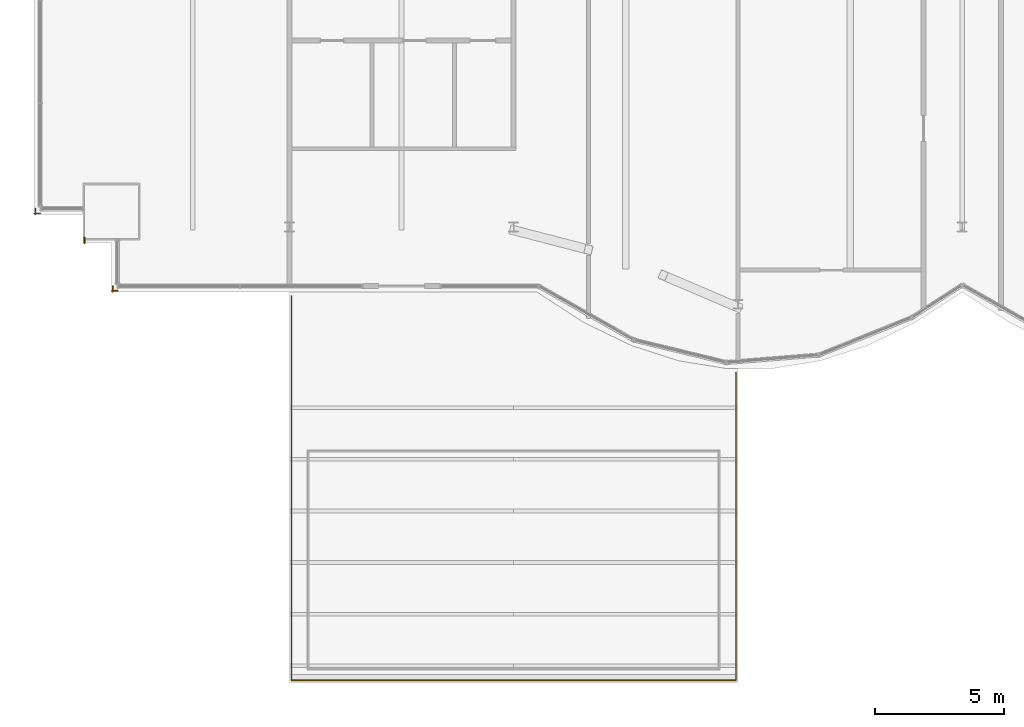
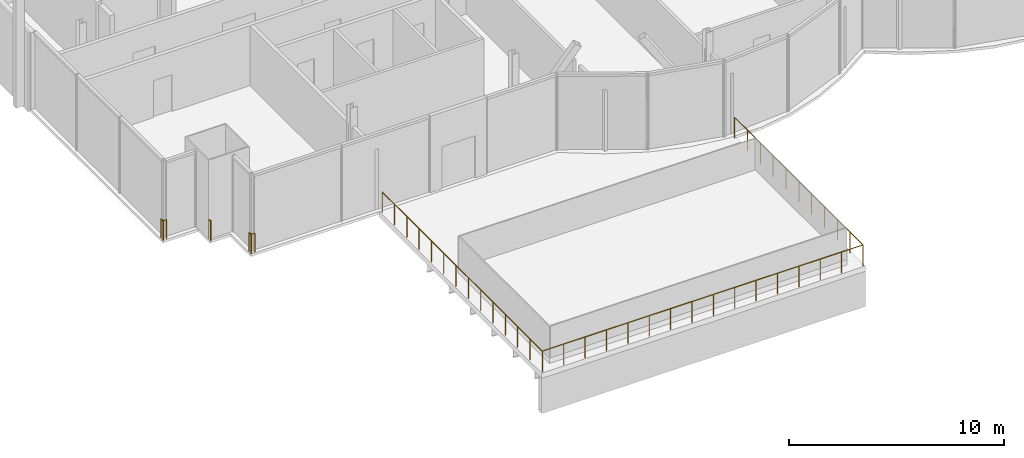
# One storey, part 20 of 22: 4 railings.
"""IFC4 building model written with IfcOpenShell, lengths in metres."""

from ifc_helpers import new_model, si_unit, direction, frame, origin, origin_2d, place, context, subcontext, project, spatial, circle, extrude, material, type_object, element, save


model = new_model("IFC4")

# Units and contexts
model_context = context("Model", 3, precision=1e-05, world=origin(), true_north=direction((0.0, 1.0)))
body_context = subcontext(model_context, "Body", "Model", "MODEL_VIEW")
ifc_project = project(units=[si_unit("LENGTHUNIT", "METRE"), si_unit("AREAUNIT", "SQUARE_METRE"), si_unit("VOLUMEUNIT", "CUBIC_METRE"), si_unit("PLANEANGLEUNIT", "RADIAN"), si_unit("MASSUNIT", "GRAM", prefix="KILO")], contexts=[model_context])

# Site, building, storey
site_placement = place(None, origin())
site = spatial("IfcSite", under=ifc_project, at=site_placement, CompositionType="ELEMENT")
building_placement = place(site_placement, origin())
building = spatial("IfcBuilding", under=site, at=building_placement, Name="Bicima Exchange Tower", CompositionType="ELEMENT")
storey_placement = place(building_placement, frame((0.0, 0.0, 293.0)))
storey = spatial("IfcBuildingStorey", under=building, at=storey_placement, Name="L66", CompositionType="ELEMENT", Elevation=293.0)

# Railings
ifc_material = material(Name="Stainless steel and bonded safety glass", Category="steel")
railing_type_1 = type_object("IfcRailingType", Name="Edge guard 1100", PredefinedType="GUARDRAIL", material=ifc_material)
railing_1_placement = place(storey_placement, frame((-35.762939453125, -24.31005859375, 0.0)))
element("IfcRailing", 1, at=railing_1_placement, inside=storey, type_object=railing_type_1, Name="Edge guard L66 337", PredefinedType="GUARDRAIL", context=body_context, shape_type="SweptSolid", body=[
    extrude(circle(Radius=0.02392578125, at=origin_2d()), frame((0.0, 0.0, 1.076171875), z_axis=(-1.0, 0.0, 0.0), x_axis=(0.0, -1.0, 0.0)), (0.0, 0.0, 1.0), 0.237060546875),
    extrude(circle(Radius=0.02392578125, at=origin_2d()), frame((-0.237060546875, 0.0, 1.076171875), z_axis=(0.707106781187, -0.707106781187, 0.0), x_axis=(0.707106781187, 0.707106781187, 0.0)), (0.0, 0.0, 1.0), 0.07080078125),
    extrude(circle(Radius=0.02392578125, at=origin_2d()), frame((-0.18701171875, -0.050048828125, 1.076171875), z_axis=(0.0, 1.0, 0.0), x_axis=(-1.0, 0.0, 0.0)), (0.0, 0.0, 1.0), 0.248046875),
    extrude(circle(Radius=0.02099609375, at=origin_2d()), origin(), (0.0, 0.0, 1.0), 1.052001953125),
    extrude(circle(Radius=0.02099609375, at=origin_2d()), frame((-0.237060546875, 0.0, 0.0)), (0.0, 0.0, 1.0), 1.052001953125),
    extrude(circle(Radius=0.02099609375, at=origin_2d()), frame((-0.18701171875, -0.050048828125, 0.0)), (0.0, 0.0, 1.0), 1.052001953125),
    extrude(circle(Radius=0.02099609375, at=origin_2d()), frame((-0.18701171875, 0.197998046875, 0.0)), (0.0, 0.0, 1.0), 1.052001953125),
])
railing_2_placement = place(storey_placement, frame((-32.75, -27.31005859375, 0.0)))
element("IfcRailing", 2, at=railing_2_placement, inside=storey, type_object=railing_type_1, Name="Edge guard L66 341", PredefinedType="GUARDRAIL", context=body_context, shape_type="SweptSolid", body=[
    extrude(circle(Radius=0.02392578125, at=origin_2d()), frame((0.0, 0.0, 1.076171875), z_axis=(-1.0, 0.0, 0.0), x_axis=(0.0, -1.0, 0.0)), (0.0, 0.0, 1.0), 0.25),
    extrude(circle(Radius=0.02392578125, at=origin_2d()), frame((-0.25, 0.0, 1.076171875), z_axis=(0.707106781187, -0.707106781187, 0.0), x_axis=(0.707106781187, 0.707106781187, 0.0)), (0.0, 0.0, 1.0), 0.07080078125),
    extrude(circle(Radius=0.02392578125, at=origin_2d()), frame((-0.199951171875, -0.050048828125, 1.076171875), z_axis=(0.0, 1.0, 0.0), x_axis=(-1.0, 0.0, 0.0)), (0.0, 0.0, 1.0), 0.238037109375),
    extrude(circle(Radius=0.02099609375, at=origin_2d()), origin(), (0.0, 0.0, 1.0), 1.052001953125),
    extrude(circle(Radius=0.02099609375, at=origin_2d()), frame((-0.25, 0.0, 0.0)), (0.0, 0.0, 1.0), 1.052001953125),
    extrude(circle(Radius=0.02099609375, at=origin_2d()), frame((-0.199951171875, -0.050048828125, 0.0)), (0.0, 0.0, 1.0), 1.052001953125),
    extrude(circle(Radius=0.02099609375, at=origin_2d()), frame((-0.199951171875, 0.18798828125, 0.0)), (0.0, 0.0, 1.0), 1.052001953125),
])
railing_3_placement = place(storey_placement, frame((-34.050048828125, -25.4599609375, 0.0)))
element("IfcRailing", 3, at=railing_3_placement, inside=storey, type_object=railing_type_1, Name="Edge guard L66 342", PredefinedType="GUARDRAIL", context=body_context, shape_type="SweptSolid", body=[
    extrude(circle(Radius=0.02392578125, at=origin_2d()), frame((0.0, 0.0, 1.076171875), z_axis=(0.0, 1.0, 0.0), x_axis=(-1.0, 0.0, 0.0)), (0.0, 0.0, 1.0), 0.219970703125),
    extrude(circle(Radius=0.02099609375, at=origin_2d()), origin(), (0.0, 0.0, 1.0), 1.052001953125),
    extrude(circle(Radius=0.02099609375, at=origin_2d()), frame((0.0, 0.219970703125, 0.0)), (0.0, 0.0, 1.0), 1.052001953125),
])
railing_type_2 = type_object("IfcRailingType", Name="Pool deck guard 1200", PredefinedType="GUARDRAIL", material=ifc_material)
railing_4_placement = place(storey_placement, frame((-8.780029296875, -30.472900390625, 0.0)))
element("IfcRailing", 4, at=railing_4_placement, inside=storey, type_object=railing_type_2, Name="Pool deck guard L66 1", PredefinedType="GUARDRAIL", context=body_context, shape_type="SweptSolid", body=[
    extrude(circle(Radius=0.02392578125, at=origin_2d()), frame((0.0, 0.0, 1.17578125), z_axis=(0.0, -1.0, 0.0), x_axis=(1.0, 0.0, 0.0)), (0.0, 0.0, 1.0), 11.9482421875),
    extrude(circle(Radius=0.02392578125, at=origin_2d()), frame((0.0, -11.9482421875, 1.17578125), z_axis=(-1.0, 0.0, 0.0), x_axis=(0.0, -1.0, 0.0)), (0.0, 0.0, 1.0), 17.239990234375),
    extrude(circle(Radius=0.02392578125, at=origin_2d()), frame((-17.239990234375, -11.9482421875, 1.17578125), z_axis=(0.0, 1.0, 0.0), x_axis=(-1.0, 0.0, 0.0)), (0.0, 0.0, 1.0), 14.9111328125),
    extrude(circle(Radius=0.02099609375, at=origin_2d()), origin(), (0.0, 0.0, 1.0), 1.15185546875),
    extrude(circle(Radius=0.02099609375, at=origin_2d()), frame((0.0, -1.19482421875, 0.0)), (0.0, 0.0, 1.0), 1.15185546875),
    extrude(circle(Radius=0.02099609375, at=origin_2d()), frame((0.0, -2.3896484375, 0.0)), (0.0, 0.0, 1.0), 1.15185546875),
    extrude(circle(Radius=0.02099609375, at=origin_2d()), frame((0.0, -3.58447265625, 0.0)), (0.0, 0.0, 1.0), 1.15185546875),
    extrude(circle(Radius=0.02099609375, at=origin_2d()), frame((0.0, -4.779296875, 0.0)), (0.0, 0.0, 1.0), 1.15185546875),
    extrude(circle(Radius=0.02099609375, at=origin_2d()), frame((0.0, -5.97412109375, 0.0)), (0.0, 0.0, 1.0), 1.15185546875),
    extrude(circle(Radius=0.02099609375, at=origin_2d()), frame((0.0, -7.1689453125, 0.0)), (0.0, 0.0, 1.0), 1.15185546875),
    extrude(circle(Radius=0.02099609375, at=origin_2d()), frame((0.0, -8.36376953125, 0.0)), (0.0, 0.0, 1.0), 1.15185546875),
    extrude(circle(Radius=0.02099609375, at=origin_2d()), frame((0.0, -9.55859375, 0.0)), (0.0, 0.0, 1.0), 1.15185546875),
    extrude(circle(Radius=0.02099609375, at=origin_2d()), frame((0.0, -10.75341796875, 0.0)), (0.0, 0.0, 1.0), 1.15185546875),
    extrude(circle(Radius=0.02099609375, at=origin_2d()), frame((0.0, -11.9482421875, 0.0)), (0.0, 0.0, 1.0), 1.15185546875),
    extrude(circle(Radius=0.02099609375, at=origin_2d()), frame((-1.1494140625, -11.9482421875, 0.0)), (0.0, 0.0, 1.0), 1.15185546875),
    extrude(circle(Radius=0.02099609375, at=origin_2d()), frame((-2.298583984375, -11.9482421875, 0.0)), (0.0, 0.0, 1.0), 1.15185546875),
    extrude(circle(Radius=0.02099609375, at=origin_2d()), frame((-3.447998046875, -11.9482421875, 0.0)), (0.0, 0.0, 1.0), 1.15185546875),
    extrude(circle(Radius=0.02099609375, at=origin_2d()), frame((-4.597412109375, -11.9482421875, 0.0)), (0.0, 0.0, 1.0), 1.15185546875),
    extrude(circle(Radius=0.02099609375, at=origin_2d()), frame((-5.74658203125, -11.9482421875, 0.0)), (0.0, 0.0, 1.0), 1.15185546875),
    extrude(circle(Radius=0.02099609375, at=origin_2d()), frame((-6.89599609375, -11.9482421875, 0.0)), (0.0, 0.0, 1.0), 1.15185546875),
    extrude(circle(Radius=0.02099609375, at=origin_2d()), frame((-8.04541015625, -11.9482421875, 0.0)), (0.0, 0.0, 1.0), 1.15185546875),
    extrude(circle(Radius=0.02099609375, at=origin_2d()), frame((-9.194580078125, -11.9482421875, 0.0)), (0.0, 0.0, 1.0), 1.15185546875),
    extrude(circle(Radius=0.02099609375, at=origin_2d()), frame((-10.343994140625, -11.9482421875, 0.0)), (0.0, 0.0, 1.0), 1.15185546875),
    extrude(circle(Radius=0.02099609375, at=origin_2d()), frame((-11.493408203125, -11.9482421875, 0.0)), (0.0, 0.0, 1.0), 1.15185546875),
    extrude(circle(Radius=0.02099609375, at=origin_2d()), frame((-12.642578125, -11.9482421875, 0.0)), (0.0, 0.0, 1.0), 1.15185546875),
    extrude(circle(Radius=0.02099609375, at=origin_2d()), frame((-13.7919921875, -11.9482421875, 0.0)), (0.0, 0.0, 1.0), 1.15185546875),
    extrude(circle(Radius=0.02099609375, at=origin_2d()), frame((-14.94140625, -11.9482421875, 0.0)), (0.0, 0.0, 1.0), 1.15185546875),
    extrude(circle(Radius=0.02099609375, at=origin_2d()), frame((-16.090576171875, -11.9482421875, 0.0)), (0.0, 0.0, 1.0), 1.15185546875),
    extrude(circle(Radius=0.02099609375, at=origin_2d()), frame((-17.239990234375, -11.9482421875, 0.0)), (0.0, 0.0, 1.0), 1.15185546875),
    extrude(circle(Radius=0.02099609375, at=origin_2d()), frame((-17.239990234375, -10.80126953125, 0.0)), (0.0, 0.0, 1.0), 1.15185546875),
    extrude(circle(Radius=0.02099609375, at=origin_2d()), frame((-17.239990234375, -9.654296875, 0.0)), (0.0, 0.0, 1.0), 1.15185546875),
    extrude(circle(Radius=0.02099609375, at=origin_2d()), frame((-17.239990234375, -8.50732421875, 0.0)), (0.0, 0.0, 1.0), 1.15185546875),
    extrude(circle(Radius=0.02099609375, at=origin_2d()), frame((-17.239990234375, -7.360107421875, 0.0)), (0.0, 0.0, 1.0), 1.15185546875),
    extrude(circle(Radius=0.02099609375, at=origin_2d()), frame((-17.239990234375, -6.213134765625, 0.0)), (0.0, 0.0, 1.0), 1.15185546875),
    extrude(circle(Radius=0.02099609375, at=origin_2d()), frame((-17.239990234375, -5.066162109375, 0.0)), (0.0, 0.0, 1.0), 1.15185546875),
    extrude(circle(Radius=0.02099609375, at=origin_2d()), frame((-17.239990234375, -3.919189453125, 0.0)), (0.0, 0.0, 1.0), 1.15185546875),
    extrude(circle(Radius=0.02099609375, at=origin_2d()), frame((-17.239990234375, -2.772216796875, 0.0)), (0.0, 0.0, 1.0), 1.15185546875),
    extrude(circle(Radius=0.02099609375, at=origin_2d()), frame((-17.239990234375, -1.625244140625, 0.0)), (0.0, 0.0, 1.0), 1.15185546875),
    extrude(circle(Radius=0.02099609375, at=origin_2d()), frame((-17.239990234375, -0.47802734375, 0.0)), (0.0, 0.0, 1.0), 1.15185546875),
    extrude(circle(Radius=0.02099609375, at=origin_2d()), frame((-17.239990234375, 0.6689453125, 0.0)), (0.0, 0.0, 1.0), 1.15185546875),
    extrude(circle(Radius=0.02099609375, at=origin_2d()), frame((-17.239990234375, 1.81591796875, 0.0)), (0.0, 0.0, 1.0), 1.15185546875),
    extrude(circle(Radius=0.02099609375, at=origin_2d()), frame((-17.239990234375, 2.962890625, 0.0)), (0.0, 0.0, 1.0), 1.15185546875),
])

save(model, "model.ifc")
